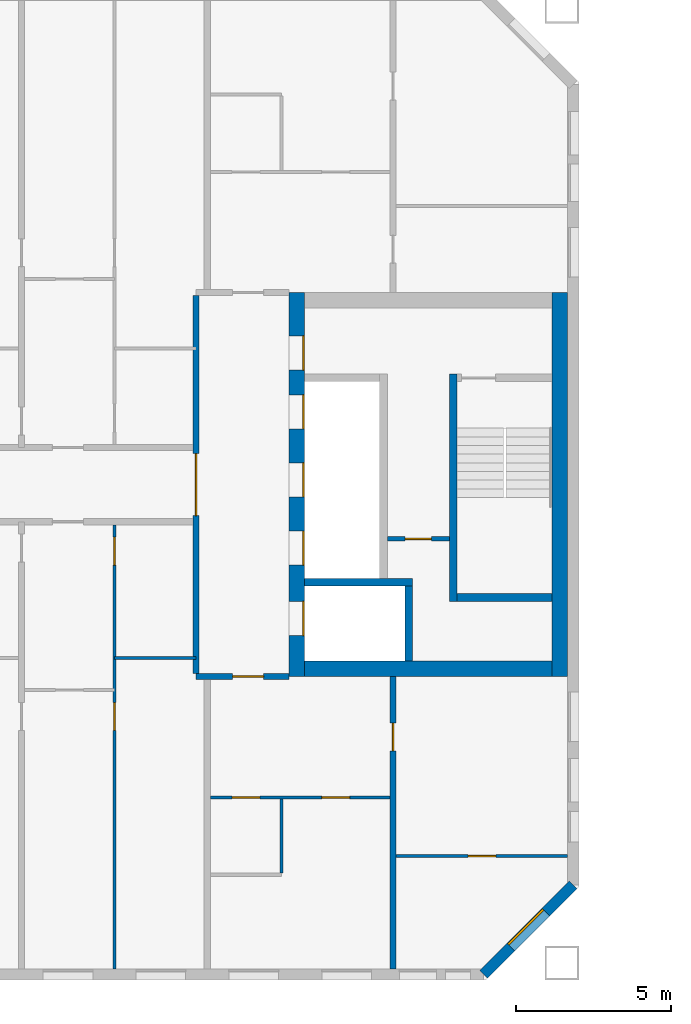
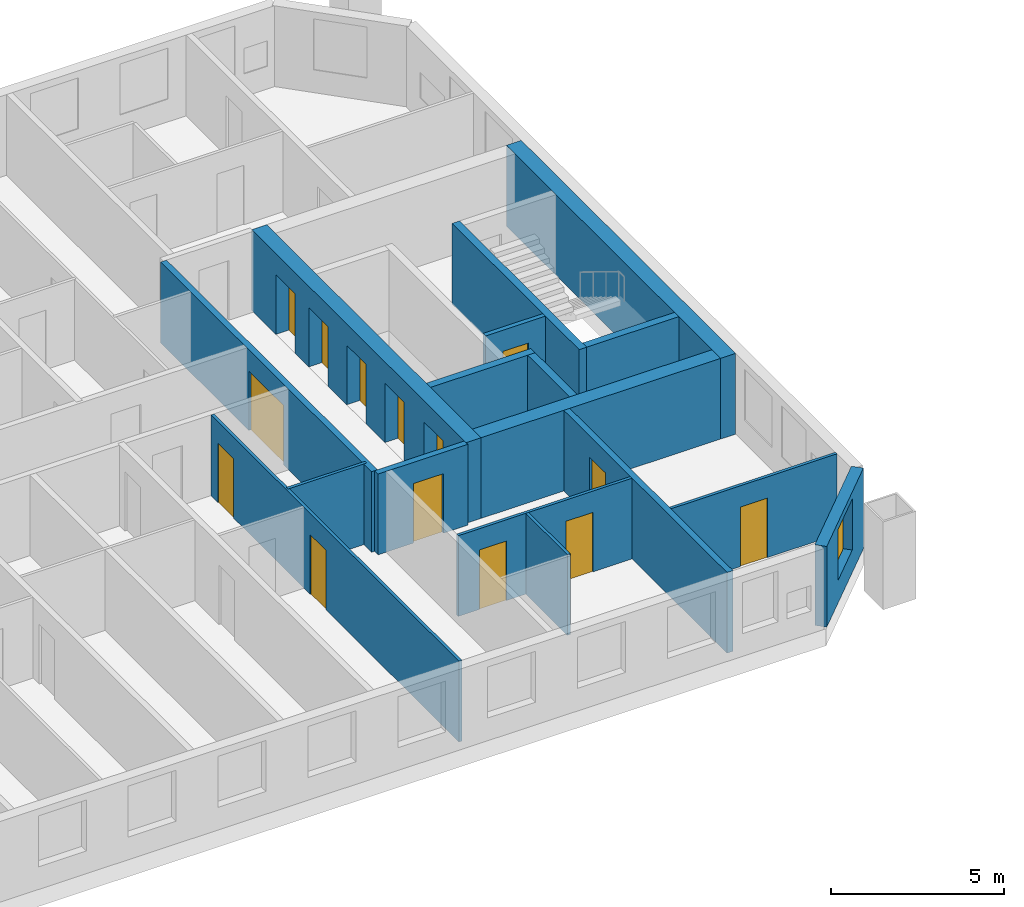
# One storey, part 6 of 15: 17 walls, 14 doors, 1 window, 15 openings.
"""IFC4 building model written with IfcOpenShell, lengths in metres."""

from ifc_helpers import new_model, si_unit, direction, frame, frame_2d, origin, place, context, subcontext, project, spatial, rectangle, extrude, material, layer, layer_set, type_object, element, fill, save


model = new_model("IFC4")

# Units and contexts
model_context = context("Model", 3, precision=1e-05, world=origin(), true_north=direction((0.0, 1.0)))
body_context = subcontext(model_context, "Body", "Model", "MODEL_VIEW")
ifc_project = project(units=[si_unit("LENGTHUNIT", "METRE"), si_unit("AREAUNIT", "SQUARE_METRE"), si_unit("VOLUMEUNIT", "CUBIC_METRE"), si_unit("PLANEANGLEUNIT", "RADIAN"), si_unit("MASSUNIT", "GRAM", prefix="KILO")], contexts=[model_context])

# Site, building, storey
site_placement = place(None, origin())
site = spatial("IfcSite", under=ifc_project, at=site_placement, CompositionType="ELEMENT")
building_placement = place(site_placement, origin())
building = spatial("IfcBuilding", under=site, at=building_placement, Name="Tuart Gate Housing", CompositionType="ELEMENT")
storey_placement = place(building_placement, frame((0.0, 0.0, 148.5)))
storey = spatial("IfcBuildingStorey", under=building, at=storey_placement, Name="L41", CompositionType="ELEMENT", Elevation=148.5)

# Wall, opening, window
ifc_material_1 = material(Name="Brick", Category="masonry")
ifc_layer_1 = layer(ifc_material_1, 0.360107421875)
ifc_layer_set_1 = layer_set([ifc_layer_1], Name="Brick pier and spandrel wall 360")
wall_type_1 = type_object("IfcWallType", Name="Brick pier and spandrel wall 360", PredefinedType="STANDARD", material=ifc_layer_set_1)
wall_1_placement = place(storey_placement, frame((72.92529296875, 54.179931640625, 0.0), z_axis=(0.0, 0.0, 1.0), x_axis=(0.707106781187, 0.707106781187, 0.0)))
wall_1 = element("IfcWall", 1, at=wall_1_placement, inside=storey, type_object=wall_type_1, Name="External wall A-SE L41", PredefinedType="STANDARD", context=body_context, shape_type="SweptSolid", body=[
    extrude(rectangle(XDim=4.09375, YDim=0.360107421875, at=frame_2d((2.046875, 0.0))), origin(), (0.0, 0.0, 1.0), 2.85009765625),
])
opening_1_placement = place(wall_1_placement, frame((1.2470703125, 0.0, 0.800048828125)))
opening_1 = element("IfcOpeningElement", 2, at=opening_1_placement, cuts=wall_1, Name="Opening W1", PredefinedType="OPENING", context=body_context, shape_type="SweptSolid", body=[
    extrude(rectangle(XDim=1.60009765625, YDim=1.800048828125, at=frame_2d((0.800048828125, 0.89990234375))), frame((0.0, 0.18994140625, 0.0), z_axis=(0.0, -1.0, 0.0), x_axis=(1.0, 0.0, 0.0)), (0.0, 0.0, 1.0), 0.380126953125),
])
ifc_material_2 = material(Name="Aluminium frame with clear glass", Category="aluminium")
window_type = type_object("IfcWindowType", Name="Punched window 1600 x 1800", PartitioningType="SINGLE_PANEL", PredefinedType="WINDOW", material=ifc_material_2)
window_placement = place(opening_1_placement, origin())
window = element("IfcWindow", 3, at=window_placement, inside=storey, type_object=window_type, Name="Window W1", OverallHeight=1.800048828125, OverallWidth=1.60009765625, PartitioningType="SINGLE_PANEL", PredefinedType="WINDOW", context=body_context, shape_type="SweptSolid", body=[
    extrude(rectangle(XDim=1.60009765625, YDim=1.800048828125, at=frame_2d((0.800048828125, 0.89990234375))), frame((0.0, 0.150146484375, 0.0), z_axis=(0.0, -1.0, 0.0), x_axis=(1.0, 0.0, 0.0)), (0.0, 0.0, 1.0), 0.06005859375),
])
fill(opening_1, window)

# Wall, opening, door
ifc_material_3 = material(Name="Plasterboard partition")
ifc_layer_2 = layer(ifc_material_3, 0.14990234375)
ifc_layer_set_2 = layer_set([ifc_layer_2], Name="Core partition 150")
wall_type_2 = type_object("IfcWallType", Name="Core partition 150", PredefinedType="PARTITIONING", material=ifc_layer_set_2)
wall_2_placement = place(storey_placement, frame((69.81494140625, 68.25, 0.0), z_axis=(0.0, 0.0, 1.0), x_axis=(1.0, 0.0, 0.0)))
wall_2 = element("IfcWall", 4, at=wall_2_placement, inside=storey, type_object=wall_type_2, Name="Core partition AG.3", PredefinedType="PARTITIONING", context=body_context, shape_type="SweptSolid", body=[
    extrude(rectangle(XDim=2.0, YDim=0.14990234375, at=frame_2d((1.0, 0.0))), origin(), (0.0, 0.0, 1.0), 2.85009765625),
])
opening_2_placement = place(wall_2_placement, frame((0.574951171875, 0.0, 0.0)))
opening_2 = element("IfcOpeningElement", 5, at=opening_2_placement, cuts=wall_2, Name="Opening D1550", PredefinedType="OPENING", context=body_context, shape_type="SweptSolid", body=[
    extrude(rectangle(XDim=0.85009765625, YDim=2.10009765625, at=frame_2d((0.425048828125, 1.050048828125))), frame((0.0, 0.0849609375, 0.0), z_axis=(0.0, -1.0, 0.0), x_axis=(1.0, 0.0, 0.0)), (0.0, 0.0, 1.0), 0.169921875),
])
ifc_material_4 = material(Name="Steel fire door", Category="steel")
door_type_1 = type_object("IfcDoorType", Name="Riser door 850 x 2100 RH", OperationType="SINGLE_SWING_RIGHT", PredefinedType="DOOR", material=ifc_material_4)
door_1_placement = place(opening_2_placement, frame((0.85009765625, 0.0, 0.0), z_axis=(0.0, 0.0, 1.0), x_axis=(-1.0, 0.0, 0.0)))
door_1 = element("IfcDoor", 6, at=door_1_placement, inside=storey, type_object=door_type_1, Name="Service room door AG.E1", OperationType="SINGLE_SWING_RIGHT", OverallHeight=2.10009765625, OverallWidth=0.85009765625, PredefinedType="DOOR", context=body_context, shape_type="SweptSolid", body=[
    extrude(rectangle(XDim=0.85009765625, YDim=2.10009765625, at=frame_2d((0.425048828125, 1.050048828125))), frame((0.0, 0.025146484375, 0.0), z_axis=(0.0, -1.0, 0.0), x_axis=(1.0, 0.0, 0.0)), (0.0, 0.0, 1.0), 0.050048828125),
])
fill(opening_2, door_1)

# Walls
ifc_material_5 = material(Name="Concrete C40", Category="concrete")
ifc_layer_3 = layer(ifc_material_5, 0.25)
ifc_layer_set_3 = layer_set([ifc_layer_3], Name="Core wall 250 C40")
wall_type_3 = type_object("IfcWallType", Name="Core wall 250 C40", PredefinedType="SHEAR", material=ifc_layer_set_3)
wall_3_placement = place(storey_placement, frame((72.06494140625, 66.35009765625, 0.0), z_axis=(0.0, 0.0, 1.0), x_axis=(1.0, 0.0, 0.0)))
element("IfcWall", 7, at=wall_3_placement, inside=storey, type_object=wall_type_3, Name="Core wall AG.1", PredefinedType="SHEAR", context=body_context, shape_type="SweptSolid", body=[
    extrude(rectangle(XDim=3.074951171875, YDim=0.25, at=frame_2d((1.53759765625, 0.0))), origin(), (0.0, 0.0, 1.0), 2.85009765625),
])
wall_4_placement = place(storey_placement, frame((67.139892578125, 66.85009765625, 0.0), z_axis=(0.0, 0.0, 1.0), x_axis=(1.0, 0.0, 0.0)))
element("IfcWall", 8, at=wall_4_placement, inside=storey, type_object=wall_type_3, Name="Core wall AG.2", PredefinedType="SHEAR", context=body_context, shape_type="SweptSolid", body=[
    extrude(rectangle(XDim=3.4951171875, YDim=0.25, at=frame_2d((1.74755859375, 0.0))), origin(), (0.0, 0.0, 1.0), 2.85009765625),
])
wall_5_placement = place(storey_placement, frame((70.510009765625, 64.300048828125, 0.0), z_axis=(0.0, 0.0, 1.0), x_axis=(0.0, 1.0, 0.0)))
element("IfcWall", 9, at=wall_5_placement, inside=storey, type_object=wall_type_3, Name="Core wall AG.7", PredefinedType="SHEAR", context=body_context, shape_type="SweptSolid", body=[
    extrude(rectangle(XDim=2.425048828125, YDim=0.25, at=frame_2d((1.21240234375, 0.0))), origin(), (0.0, 0.0, 1.0), 2.85009765625),
])
wall_6_placement = place(storey_placement, frame((71.93994140625, 66.22509765625, 0.0), z_axis=(0.0, 0.0, 1.0), x_axis=(0.0, 1.0, 0.0)))
element("IfcWall", 10, at=wall_6_placement, inside=storey, type_object=wall_type_3, Name="Core wall AG.8", PredefinedType="SHEAR", context=body_context, shape_type="SweptSolid", body=[
    extrude(rectangle(XDim=7.349853515625, YDim=0.25, at=frame_2d((3.6748046875, 0.0))), origin(), (0.0, 0.0, 1.0), 2.85009765625),
])

# Wall, openings, doors
ifc_material_6 = material(Name="Concrete C40", Category="concrete")
ifc_layer_4 = layer(ifc_material_6, 0.5)
ifc_layer_set_4 = layer_set([ifc_layer_4], Name="Core wall 500 C40")
wall_type_4 = type_object("IfcWallType", Name="Core wall 500 C40", PredefinedType="SHEAR", material=ifc_layer_set_4)
wall_7_placement = place(storey_placement, frame((66.889892578125, 63.800048828125, 0.0), z_axis=(0.0, 0.0, 1.0), x_axis=(0.0, 1.0, 0.0)))
wall_7 = element("IfcWall", 11, at=wall_7_placement, inside=storey, type_object=wall_type_4, Name="Core wall AG front", PredefinedType="SHEAR", context=body_context, shape_type="SweptSolid", body=[
    extrude(rectangle(XDim=12.39990234375, YDim=0.5, at=frame_2d((6.199951171875, 0.0))), origin(), (0.0, 0.0, 1.0), 2.85009765625),
])
opening_3_placement = place(wall_7_placement, frame((1.324951171875, 0.0, 0.0)))
opening_3 = element("IfcOpeningElement", 12, at=opening_3_placement, cuts=wall_7, Name="Opening LD-FA1", PredefinedType="OPENING", context=body_context, shape_type="SweptSolid", body=[
    extrude(rectangle(XDim=1.10009765625, YDim=2.10009765625, at=frame_2d((0.550048828125, 1.050048828125))), frame((0.0, 0.260009765625, 0.0), z_axis=(0.0, -1.0, 0.0), x_axis=(1.0, 0.0, 0.0)), (0.0, 0.0, 1.0), 0.52001953125),
])
opening_4_placement = place(wall_7_placement, frame((3.60009765625, 0.0, 0.0)))
opening_4 = element("IfcOpeningElement", 13, at=opening_4_placement, cuts=wall_7, Name="Opening LD-LA1", PredefinedType="OPENING", context=body_context, shape_type="SweptSolid", body=[
    extrude(rectangle(XDim=1.10009765625, YDim=2.10009765625, at=frame_2d((0.550048828125, 1.050048828125))), frame((0.0, 0.260009765625, 0.0), z_axis=(0.0, -1.0, 0.0), x_axis=(1.0, 0.0, 0.0)), (0.0, 0.0, 1.0), 0.52001953125),
])
opening_5_placement = place(wall_7_placement, frame((5.800048828125, 0.0, 0.0)))
opening_5 = element("IfcOpeningElement", 14, at=opening_5_placement, cuts=wall_7, Name="Opening LD-LA2", PredefinedType="OPENING", context=body_context, shape_type="SweptSolid", body=[
    extrude(rectangle(XDim=1.10009765625, YDim=2.10009765625, at=frame_2d((0.550048828125, 1.050048828125))), frame((0.0, 0.260009765625, 0.0), z_axis=(0.0, -1.0, 0.0), x_axis=(1.0, 0.0, 0.0)), (0.0, 0.0, 1.0), 0.52001953125),
])
opening_6_placement = place(wall_7_placement, frame((8.0, 0.0, 0.0)))
opening_6 = element("IfcOpeningElement", 15, at=opening_6_placement, cuts=wall_7, Name="Opening LD-LA3", PredefinedType="OPENING", context=body_context, shape_type="SweptSolid", body=[
    extrude(rectangle(XDim=1.10009765625, YDim=2.10009765625, at=frame_2d((0.550048828125, 1.050048828125))), frame((0.0, 0.260009765625, 0.0), z_axis=(0.0, -1.0, 0.0), x_axis=(1.0, 0.0, 0.0)), (0.0, 0.0, 1.0), 0.52001953125),
])
opening_7_placement = place(wall_7_placement, frame((9.89990234375, 0.0, 0.0)))
opening_7 = element("IfcOpeningElement", 16, at=opening_7_placement, cuts=wall_7, Name="Opening D1547", PredefinedType="OPENING", context=body_context, shape_type="SweptSolid", body=[
    extrude(rectangle(XDim=1.10009765625, YDim=2.10009765625, at=frame_2d((0.550048828125, 1.050048828125))), frame((0.0, 0.260009765625, 0.0), z_axis=(0.0, -1.0, 0.0), x_axis=(1.0, 0.0, 0.0)), (0.0, 0.0, 1.0), 0.52001953125),
])
ifc_material_7 = material(Name="Stainless steel", Category="steel")
door_type_2 = type_object("IfcDoorType", Name="Landing door 1100 x 2100", OperationType="DOUBLE_DOOR_SLIDING", PredefinedType="DOOR", material=ifc_material_7)
door_2_placement = place(opening_3_placement, origin())
door_2 = element("IfcDoor", 17, at=door_2_placement, inside=storey, type_object=door_type_2, Name="Lift landing door FA1", OperationType="DOUBLE_DOOR_SLIDING", OverallHeight=2.10009765625, OverallWidth=1.10009765625, PredefinedType="DOOR", context=body_context, shape_type="SweptSolid", body=[
    extrude(rectangle(XDim=1.10009765625, YDim=2.10009765625, at=frame_2d((0.550048828125, 1.050048828125))), frame((0.0, -0.18505859375, 0.0), z_axis=(0.0, -1.0, 0.0), x_axis=(1.0, 0.0, 0.0)), (0.0, 0.0, 1.0), 0.050048828125),
])
fill(opening_3, door_2)
door_3_placement = place(opening_4_placement, origin())
door_3 = element("IfcDoor", 18, at=door_3_placement, inside=storey, type_object=door_type_2, Name="Lift landing door LA1", OperationType="DOUBLE_DOOR_SLIDING", OverallHeight=2.10009765625, OverallWidth=1.10009765625, PredefinedType="DOOR", context=body_context, shape_type="SweptSolid", body=[
    extrude(rectangle(XDim=1.10009765625, YDim=2.10009765625, at=frame_2d((0.550048828125, 1.050048828125))), frame((0.0, -0.18505859375, 0.0), z_axis=(0.0, -1.0, 0.0), x_axis=(1.0, 0.0, 0.0)), (0.0, 0.0, 1.0), 0.050048828125),
])
fill(opening_4, door_3)
door_4_placement = place(opening_5_placement, origin())
door_4 = element("IfcDoor", 19, at=door_4_placement, inside=storey, type_object=door_type_2, Name="Lift landing door LA2", OperationType="DOUBLE_DOOR_SLIDING", OverallHeight=2.10009765625, OverallWidth=1.10009765625, PredefinedType="DOOR", context=body_context, shape_type="SweptSolid", body=[
    extrude(rectangle(XDim=1.10009765625, YDim=2.10009765625, at=frame_2d((0.550048828125, 1.050048828125))), frame((0.0, -0.18505859375, 0.0), z_axis=(0.0, -1.0, 0.0), x_axis=(1.0, 0.0, 0.0)), (0.0, 0.0, 1.0), 0.050048828125),
])
fill(opening_5, door_4)
door_5_placement = place(opening_6_placement, origin())
door_5 = element("IfcDoor", 20, at=door_5_placement, inside=storey, type_object=door_type_2, Name="Lift landing door LA3", OperationType="DOUBLE_DOOR_SLIDING", OverallHeight=2.10009765625, OverallWidth=1.10009765625, PredefinedType="DOOR", context=body_context, shape_type="SweptSolid", body=[
    extrude(rectangle(XDim=1.10009765625, YDim=2.10009765625, at=frame_2d((0.550048828125, 1.050048828125))), frame((0.0, -0.18505859375, 0.0), z_axis=(0.0, -1.0, 0.0), x_axis=(1.0, 0.0, 0.0)), (0.0, 0.0, 1.0), 0.050048828125),
])
fill(opening_6, door_5)
ifc_material_8 = material(Name="Steel fire door", Category="steel")
door_type_3 = type_object("IfcDoorType", Name="Lobby door 1100 x 2100 RH", OperationType="SINGLE_SWING_RIGHT", PredefinedType="DOOR", material=ifc_material_8)
door_6_placement = place(opening_7_placement, frame((1.10009765625, 0.0, 0.0), z_axis=(0.0, 0.0, 1.0), x_axis=(-1.0, 0.0, 0.0)))
door_6 = element("IfcDoor", 21, at=door_6_placement, inside=storey, type_object=door_type_3, Name="Lobby entry door AG.EN", OperationType="SINGLE_SWING_RIGHT", OverallHeight=2.10009765625, OverallWidth=1.10009765625, PredefinedType="DOOR", context=body_context, shape_type="SweptSolid", body=[
    extrude(rectangle(XDim=1.10009765625, YDim=2.10009765625, at=frame_2d((0.550048828125, 1.050048828125))), frame((0.0, 0.235107421875, 0.0), z_axis=(0.0, -1.0, 0.0), x_axis=(1.0, 0.0, 0.0)), (0.0, 0.0, 1.0), 0.050048828125),
])
fill(opening_7, door_6)

# Walls
wall_8_placement = place(storey_placement, frame((75.389892578125, 63.800048828125, 0.0), z_axis=(0.0, 0.0, 1.0), x_axis=(0.0, 1.0, 0.0)))
element("IfcWall", 22, at=wall_8_placement, inside=storey, type_object=wall_type_4, Name="Core wall AG back", PredefinedType="SHEAR", context=body_context, shape_type="SweptSolid", body=[
    extrude(rectangle(XDim=12.39990234375, YDim=0.5, at=frame_2d((6.199951171875, 0.0))), origin(), (0.0, 0.0, 1.0), 2.85009765625),
])
wall_9_placement = place(storey_placement, frame((67.139892578125, 64.050048828125, 0.0), z_axis=(0.0, 0.0, 1.0), x_axis=(1.0, 0.0, 0.0)))
element("IfcWall", 23, at=wall_9_placement, inside=storey, type_object=wall_type_4, Name="Core wall AG south", PredefinedType="SHEAR", context=body_context, shape_type="SweptSolid", body=[
    extrude(rectangle(XDim=8.0, YDim=0.5, at=frame_2d((4.0, 0.0))), origin(), (0.0, 0.0, 1.0), 2.85009765625),
])

# Wall, opening, door
ifc_material_9 = material(Name="Concrete masonry 15 MPa", Category="masonry")
ifc_layer_5 = layer(ifc_material_9, 0.199951171875)
ifc_layer_set_5 = layer_set([ifc_layer_5], Name="Enclosure wall masonry 200")
wall_type_5 = type_object("IfcWallType", Name="Enclosure wall masonry 200", PredefinedType="PARTITIONING", material=ifc_layer_set_5)
wall_10_placement = place(storey_placement, frame((63.639892578125, 63.800048828125, 0.0), z_axis=(0.0, 0.0, 1.0), x_axis=(1.0, 0.0, 0.0)))
wall_10 = element("IfcWall", 24, at=wall_10_placement, inside=storey, type_object=wall_type_5, Name="Enclosure wall masonry 200", PredefinedType="PARTITIONING", context=body_context, shape_type="SweptSolid", body=[
    extrude(rectangle(XDim=3.0, YDim=0.199951171875, at=frame_2d((1.5, 0.0))), origin(), (0.0, 0.0, 1.0), 2.85009765625),
])
opening_8_placement = place(wall_10_placement, frame((1.179931640625, 0.0, 0.0)))
opening_8 = element("IfcOpeningElement", 25, at=opening_8_placement, cuts=wall_10, Name="Opening D1553", PredefinedType="OPENING", context=body_context, shape_type="SweptSolid", body=[
    extrude(rectangle(XDim=1.0, YDim=2.10009765625, at=frame_2d((0.5, 1.050048828125))), frame((0.0, 0.10986328125, 0.0), z_axis=(0.0, -1.0, 0.0), x_axis=(1.0, 0.0, 0.0)), (0.0, 0.0, 1.0), 0.219970703125),
])
ifc_material_10 = material(Name="Timber door leaf in steel frame", Category="steel")
door_type_4 = type_object("IfcDoorType", Name="Flat entrance door 1000 RH", OperationType="SINGLE_SWING_RIGHT", PredefinedType="DOOR", material=ifc_material_10)
door_7_placement = place(opening_8_placement, frame((1.0, 0.0, 0.0), z_axis=(0.0, 0.0, 1.0), x_axis=(-1.0, 0.0, 0.0)))
door_7 = element("IfcDoor", 26, at=door_7_placement, inside=storey, type_object=door_type_4, Name="Flat entrance door", OperationType="SINGLE_SWING_RIGHT", OverallHeight=2.10009765625, OverallWidth=1.0, PredefinedType="DOOR", context=body_context, shape_type="SweptSolid", body=[
    extrude(rectangle(XDim=1.0, YDim=2.10009765625, at=frame_2d((0.5, 1.050048828125))), frame((0.0, 0.025146484375, 0.0), z_axis=(0.0, -1.0, 0.0), x_axis=(1.0, 0.0, 0.0)), (0.0, 0.0, 1.0), 0.050048828125),
])
fill(opening_8, door_7)

ifc_material_11 = material(Name="Plasterboard partition")
ifc_layer_6 = layer(ifc_material_11, 0.199951171875)
ifc_layer_set_6 = layer_set([ifc_layer_6], Name="Lobby wall 200")
wall_type_6 = type_object("IfcWallType", Name="Lobby wall 200", PredefinedType="PARTITIONING", material=ifc_layer_set_6)
wall_11_placement = place(storey_placement, frame((63.639892578125, 63.89990234375, 0.0), z_axis=(0.0, 0.0, 1.0), x_axis=(0.0, 1.0, 0.0)))
wall_11 = element("IfcWall", 27, at=wall_11_placement, inside=storey, type_object=wall_type_6, Name="Lift lobby wall AG", PredefinedType="PARTITIONING", context=body_context, shape_type="SweptSolid", body=[
    extrude(rectangle(XDim=12.2001953125, YDim=0.199951171875, at=frame_2d((6.10009765625, 0.0))), origin(), (0.0, 0.0, 1.0), 2.85009765625),
])
opening_9_placement = place(wall_11_placement, frame((5.10009765625, 0.0, 0.0)))
opening_9 = element("IfcOpeningElement", 28, at=opening_9_placement, cuts=wall_11, Name="Opening D1546", PredefinedType="OPENING", context=body_context, shape_type="SweptSolid", body=[
    extrude(rectangle(XDim=2.0, YDim=2.10009765625, at=frame_2d((1.0, 1.050048828125))), frame((0.0, 0.10986328125, 0.0), z_axis=(0.0, -1.0, 0.0), x_axis=(1.0, 0.0, 0.0)), (0.0, 0.0, 1.0), 0.219970703125),
])
ifc_material_12 = material(Name="Steel fire door", Category="steel")
door_type_5 = type_object("IfcDoorType", Name="Smoke door 2000 x 2100", OperationType="DOUBLE_DOOR_SINGLE_SWING", PredefinedType="DOOR", material=ifc_material_12)
door_8_placement = place(opening_9_placement, frame((2.0, 0.0, 0.0), z_axis=(0.0, 0.0, 1.0), x_axis=(-1.0, 0.0, 0.0)))
door_8 = element("IfcDoor", 29, at=door_8_placement, inside=storey, type_object=door_type_5, Name="Lift lobby smoke door AG", OperationType="DOUBLE_DOOR_SINGLE_SWING", OverallHeight=2.10009765625, OverallWidth=2.0, PredefinedType="DOOR", context=body_context, shape_type="SweptSolid", body=[
    extrude(rectangle(XDim=2.0, YDim=2.10009765625, at=frame_2d((1.0, 1.050048828125))), frame((0.0, 0.025146484375, 0.0), z_axis=(0.0, -1.0, 0.0), x_axis=(1.0, 0.0, 0.0)), (0.0, 0.0, 1.0), 0.050048828125),
])
fill(opening_9, door_8)

ifc_material_13 = material(Name="Gypsum board on steel studs", Category="steel")
ifc_layer_7 = layer(ifc_material_13, 0.10009765625)
ifc_layer_set_7 = layer_set([ifc_layer_7], Name="Partition 100")
wall_type_7 = type_object("IfcWallType", Name="Partition 100", PredefinedType="PARTITIONING", material=ifc_layer_set_7)
wall_12_placement = place(storey_placement, frame((70.10009765625, 58.0, 0.0), z_axis=(0.0, 0.0, 1.0), x_axis=(1.0, 0.0, 0.0)))
wall_12 = element("IfcWall", 30, at=wall_12_placement, inside=storey, type_object=wall_type_7, Name="Partition 100", PredefinedType="PARTITIONING", context=body_context, shape_type="SweptSolid", body=[
    extrude(rectangle(XDim=5.539794921875, YDim=0.10009765625, at=frame_2d((2.77001953125, 0.0))), origin(), (0.0, 0.0, 1.0), 2.85009765625),
])
opening_10_placement = place(wall_12_placement, frame((2.320068359375, 0.0, 0.0)))
opening_10 = element("IfcOpeningElement", 31, at=opening_10_placement, cuts=wall_12, Name="Opening D1570", PredefinedType="OPENING", context=body_context, shape_type="SweptSolid", body=[
    extrude(rectangle(XDim=0.89990234375, YDim=2.10009765625, at=frame_2d((0.449951171875, 1.050048828125))), frame((0.0, 0.06005859375, 0.0), z_axis=(0.0, -1.0, 0.0), x_axis=(1.0, 0.0, 0.0)), (0.0, 0.0, 1.0), 0.1201171875),
])
ifc_material_14 = material(Name="Timber door leaf in steel frame", Category="steel")
door_type_6 = type_object("IfcDoorType", Name="Internal door 900", OperationType="SINGLE_SWING_LEFT", PredefinedType="DOOR", material=ifc_material_14)
door_9_placement = place(opening_10_placement, frame((0.89990234375, 0.0, 0.0), z_axis=(0.0, 0.0, 1.0), x_axis=(-1.0, 0.0, 0.0)))
door_9 = element("IfcDoor", 32, at=door_9_placement, inside=storey, type_object=door_type_6, Name="Internal door", OperationType="SINGLE_SWING_LEFT", OverallHeight=2.10009765625, OverallWidth=0.89990234375, PredefinedType="DOOR", context=body_context, shape_type="SweptSolid", body=[
    extrude(rectangle(XDim=0.89990234375, YDim=2.10009765625, at=frame_2d((0.449951171875, 1.050048828125))), frame((0.0, 0.025146484375, 0.0), z_axis=(0.0, -1.0, 0.0), x_axis=(1.0, 0.0, 0.0)), (0.0, 0.0, 1.0), 0.050048828125),
])
fill(opening_10, door_9)

# Wall, openings, doors
wall_13_placement = place(storey_placement, frame((64.10009765625, 59.89990234375, 0.0), z_axis=(0.0, 0.0, 1.0), x_axis=(1.0, 0.0, 0.0)))
wall_13 = element("IfcWall", 33, at=wall_13_placement, inside=storey, type_object=wall_type_7, Name="Partition 100", PredefinedType="PARTITIONING", context=body_context, shape_type="SweptSolid", body=[
    extrude(rectangle(XDim=5.7998046875, YDim=0.10009765625, at=frame_2d((2.89990234375, 0.0))), origin(), (0.0, 0.0, 1.0), 2.85009765625),
])
opening_11_placement = place(wall_13_placement, frame((3.60009765625, 0.0, 0.0)))
opening_11 = element("IfcOpeningElement", 34, at=opening_11_placement, cuts=wall_13, Name="Opening D1567", PredefinedType="OPENING", context=body_context, shape_type="SweptSolid", body=[
    extrude(rectangle(XDim=0.89990234375, YDim=2.10009765625, at=frame_2d((0.449951171875, 1.050048828125))), frame((0.0, 0.06005859375, 0.0), z_axis=(0.0, -1.0, 0.0), x_axis=(1.0, 0.0, 0.0)), (0.0, 0.0, 1.0), 0.1201171875),
])
opening_12_placement = place(wall_13_placement, frame((0.699951171875, 0.0, 0.0)))
opening_12 = element("IfcOpeningElement", 35, at=opening_12_placement, cuts=wall_13, Name="Opening D1566", PredefinedType="OPENING", context=body_context, shape_type="SweptSolid", body=[
    extrude(rectangle(XDim=0.89990234375, YDim=2.10009765625, at=frame_2d((0.449951171875, 1.050048828125))), frame((0.0, 0.06005859375, 0.0), z_axis=(0.0, -1.0, 0.0), x_axis=(1.0, 0.0, 0.0)), (0.0, 0.0, 1.0), 0.1201171875),
])
ifc_material_15 = material(Name="Timber door leaf in steel frame", Category="steel")
door_type_7 = type_object("IfcDoorType", Name="Bathroom door 900", OperationType="SINGLE_SWING_LEFT", PredefinedType="DOOR", material=ifc_material_15)
door_10_placement = place(opening_12_placement, frame((0.89990234375, 0.0, 0.0), z_axis=(0.0, 0.0, 1.0), x_axis=(-1.0, 0.0, 0.0)))
door_10 = element("IfcDoor", 36, at=door_10_placement, inside=storey, type_object=door_type_7, Name="Bathroom door", OperationType="SINGLE_SWING_LEFT", OverallHeight=2.10009765625, OverallWidth=0.89990234375, PredefinedType="DOOR", context=body_context, shape_type="SweptSolid", body=[
    extrude(rectangle(XDim=0.89990234375, YDim=2.10009765625, at=frame_2d((0.449951171875, 1.050048828125))), frame((0.0, 0.025146484375, 0.0), z_axis=(0.0, -1.0, 0.0), x_axis=(1.0, 0.0, 0.0)), (0.0, 0.0, 1.0), 0.050048828125),
])
fill(opening_12, door_10)
ifc_material_16 = material(Name="Timber door leaf in steel frame", Category="steel")
door_type_8 = type_object("IfcDoorType", Name="Internal door 900 RH", OperationType="SINGLE_SWING_RIGHT", PredefinedType="DOOR", material=ifc_material_16)
door_11_placement = place(opening_11_placement, frame((0.89990234375, 0.0, 0.0), z_axis=(0.0, 0.0, 1.0), x_axis=(-1.0, 0.0, 0.0)))
door_11 = element("IfcDoor", 37, at=door_11_placement, inside=storey, type_object=door_type_8, Name="Internal door", OperationType="SINGLE_SWING_RIGHT", OverallHeight=2.10009765625, OverallWidth=0.89990234375, PredefinedType="DOOR", context=body_context, shape_type="SweptSolid", body=[
    extrude(rectangle(XDim=0.89990234375, YDim=2.10009765625, at=frame_2d((0.449951171875, 1.050048828125))), frame((0.0, 0.025146484375, 0.0), z_axis=(0.0, -1.0, 0.0), x_axis=(1.0, 0.0, 0.0)), (0.0, 0.0, 1.0), 0.050048828125),
])
fill(opening_11, door_11)

# Wall
wall_14_placement = place(storey_placement, frame((61.0, 64.39990234375, 0.0), z_axis=(0.0, 0.0, 1.0), x_axis=(1.0, 0.0, 0.0)))
element("IfcWall", 38, at=wall_14_placement, inside=storey, type_object=wall_type_7, Name="Partition 100", PredefinedType="PARTITIONING", context=body_context, shape_type="SweptSolid", body=[
    extrude(rectangle(XDim=2.639892578125, YDim=0.10009765625, at=frame_2d((1.31982421875, 0.0))), origin(), (0.0, 0.0, 1.0), 2.85009765625),
])

# Wall, openings, doors
wall_15_placement = place(storey_placement, frame((61.0, 54.360107421875, 0.0), z_axis=(0.0, 0.0, 1.0), x_axis=(0.0, 1.0, 0.0)))
wall_15 = element("IfcWall", 39, at=wall_15_placement, inside=storey, type_object=wall_type_7, Name="Partition 100", PredefinedType="PARTITIONING", context=body_context, shape_type="SweptSolid", body=[
    extrude(rectangle(XDim=14.33984375, YDim=0.10009765625, at=frame_2d((7.169921875, 0.0))), origin(), (0.0, 0.0, 1.0), 2.85009765625),
])
opening_13_placement = place(wall_15_placement, frame((7.699951171875, 0.0, 0.0)))
opening_13 = element("IfcOpeningElement", 40, at=opening_13_placement, cuts=wall_15, Name="Opening D1563", PredefinedType="OPENING", context=body_context, shape_type="SweptSolid", body=[
    extrude(rectangle(XDim=0.89990234375, YDim=2.10009765625, at=frame_2d((0.449951171875, 1.050048828125))), frame((0.0, 0.06005859375, 0.0), z_axis=(0.0, -1.0, 0.0), x_axis=(1.0, 0.0, 0.0)), (0.0, 0.0, 1.0), 0.1201171875),
])
opening_14_placement = place(wall_15_placement, frame((13.0400390625, 0.0, 0.0)))
opening_14 = element("IfcOpeningElement", 41, at=opening_14_placement, cuts=wall_15, Name="Opening D1562", PredefinedType="OPENING", context=body_context, shape_type="SweptSolid", body=[
    extrude(rectangle(XDim=0.89990234375, YDim=2.10009765625, at=frame_2d((0.449951171875, 1.050048828125))), frame((0.0, 0.06005859375, 0.0), z_axis=(0.0, -1.0, 0.0), x_axis=(1.0, 0.0, 0.0)), (0.0, 0.0, 1.0), 0.1201171875),
])
door_12_placement = place(opening_14_placement, frame((0.89990234375, 0.0, 0.0), z_axis=(0.0, 0.0, 1.0), x_axis=(-1.0, 0.0, 0.0)))
door_12 = element("IfcDoor", 42, at=door_12_placement, inside=storey, type_object=door_type_7, Name="Bathroom door", OperationType="SINGLE_SWING_LEFT", OverallHeight=2.10009765625, OverallWidth=0.89990234375, PredefinedType="DOOR", context=body_context, shape_type="SweptSolid", body=[
    extrude(rectangle(XDim=0.89990234375, YDim=2.10009765625, at=frame_2d((0.449951171875, 1.050048828125))), frame((0.0, 0.025146484375, 0.0), z_axis=(0.0, -1.0, 0.0), x_axis=(1.0, 0.0, 0.0)), (0.0, 0.0, 1.0), 0.050048828125),
])
fill(opening_14, door_12)
door_13_placement = place(opening_13_placement, frame((0.89990234375, 0.0, 0.0), z_axis=(0.0, 0.0, 1.0), x_axis=(-1.0, 0.0, 0.0)))
door_13 = element("IfcDoor", 43, at=door_13_placement, inside=storey, type_object=door_type_6, Name="Internal door", OperationType="SINGLE_SWING_LEFT", OverallHeight=2.10009765625, OverallWidth=0.89990234375, PredefinedType="DOOR", context=body_context, shape_type="SweptSolid", body=[
    extrude(rectangle(XDim=0.89990234375, YDim=2.10009765625, at=frame_2d((0.449951171875, 1.050048828125))), frame((0.0, 0.025146484375, 0.0), z_axis=(0.0, -1.0, 0.0), x_axis=(1.0, 0.0, 0.0)), (0.0, 0.0, 1.0), 0.050048828125),
])
fill(opening_13, door_13)

# Wall
wall_16_placement = place(storey_placement, frame((66.39990234375, 57.449951171875, 0.0), z_axis=(0.0, 0.0, 1.0), x_axis=(0.0, 1.0, 0.0)))
element("IfcWall", 44, at=wall_16_placement, inside=storey, type_object=wall_type_7, Name="Partition 100", PredefinedType="PARTITIONING", context=body_context, shape_type="SweptSolid", body=[
    extrude(rectangle(XDim=2.400146484375, YDim=0.10009765625, at=frame_2d((1.2001953125, 0.0))), origin(), (0.0, 0.0, 1.0), 2.85009765625),
])

# Wall, opening, door
ifc_material_17 = material(Name="Concrete C40", Category="concrete")
ifc_layer_8 = layer(ifc_material_17, 0.199951171875)
ifc_layer_set_8 = layer_set([ifc_layer_8], Name="Party wall concrete C40 200")
wall_type_8 = type_object("IfcWallType", Name="Party wall concrete C40 200", PredefinedType="SOLIDWALL", material=ifc_layer_set_8)
wall_17_placement = place(storey_placement, frame((70.0, 54.360107421875, 0.0), z_axis=(0.0, 0.0, 1.0), x_axis=(0.0, 1.0, 0.0)))
wall_17 = element("IfcWall", 45, at=wall_17_placement, inside=storey, type_object=wall_type_8, Name="Party wall concrete C40 200", PredefinedType="SOLIDWALL", context=body_context, shape_type="SweptSolid", body=[
    extrude(rectangle(XDim=9.43994140625, YDim=0.199951171875, at=frame_2d((4.719970703125, 0.0))), origin(), (0.0, 0.0, 1.0), 2.85009765625),
])
opening_15_placement = place(wall_17_placement, frame((7.0400390625, 0.0, 0.0)))
opening_15 = element("IfcOpeningElement", 46, at=opening_15_placement, cuts=wall_17, Name="Opening D1569", PredefinedType="OPENING", context=body_context, shape_type="SweptSolid", body=[
    extrude(rectangle(XDim=0.89990234375, YDim=2.10009765625, at=frame_2d((0.449951171875, 1.050048828125))), frame((0.0, 0.10986328125, 0.0), z_axis=(0.0, -1.0, 0.0), x_axis=(1.0, 0.0, 0.0)), (0.0, 0.0, 1.0), 0.219970703125),
])
door_14_placement = place(opening_15_placement, origin())
door_14 = element("IfcDoor", 47, at=door_14_placement, inside=storey, type_object=door_type_6, Name="Internal door", OperationType="SINGLE_SWING_LEFT", OverallHeight=2.10009765625, OverallWidth=0.89990234375, PredefinedType="DOOR", context=body_context, shape_type="SweptSolid", body=[
    extrude(rectangle(XDim=0.89990234375, YDim=2.10009765625, at=frame_2d((0.449951171875, 1.050048828125))), frame((0.0, 0.02490234375, 0.0), z_axis=(0.0, -1.0, 0.0), x_axis=(1.0, 0.0, 0.0)), (0.0, 0.0, 1.0), 0.050048828125),
])
fill(opening_15, door_14)

save(model, "model.ifc")
